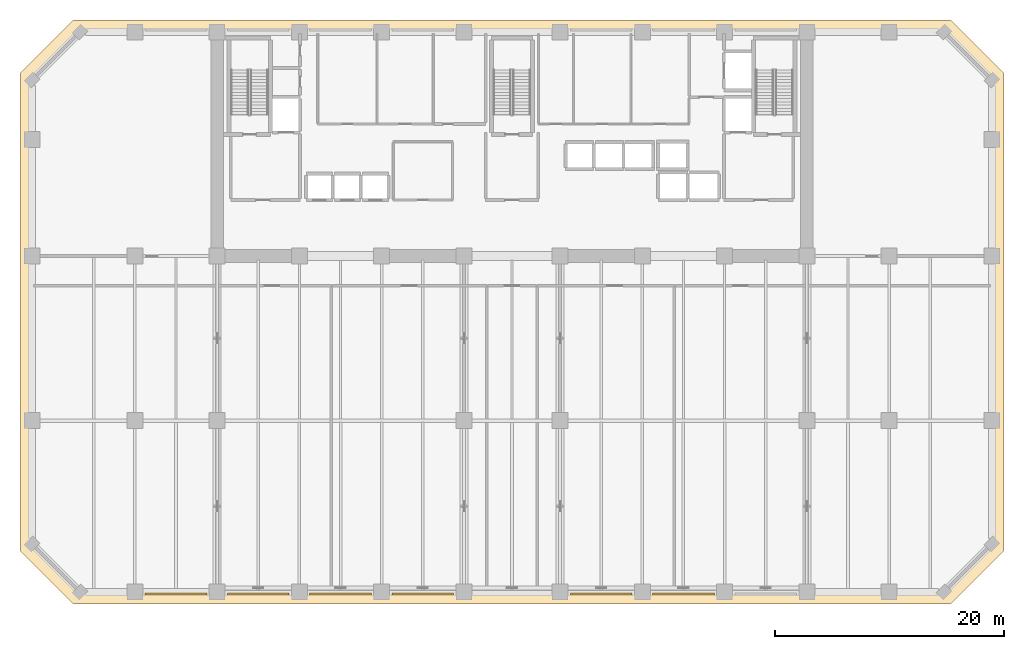
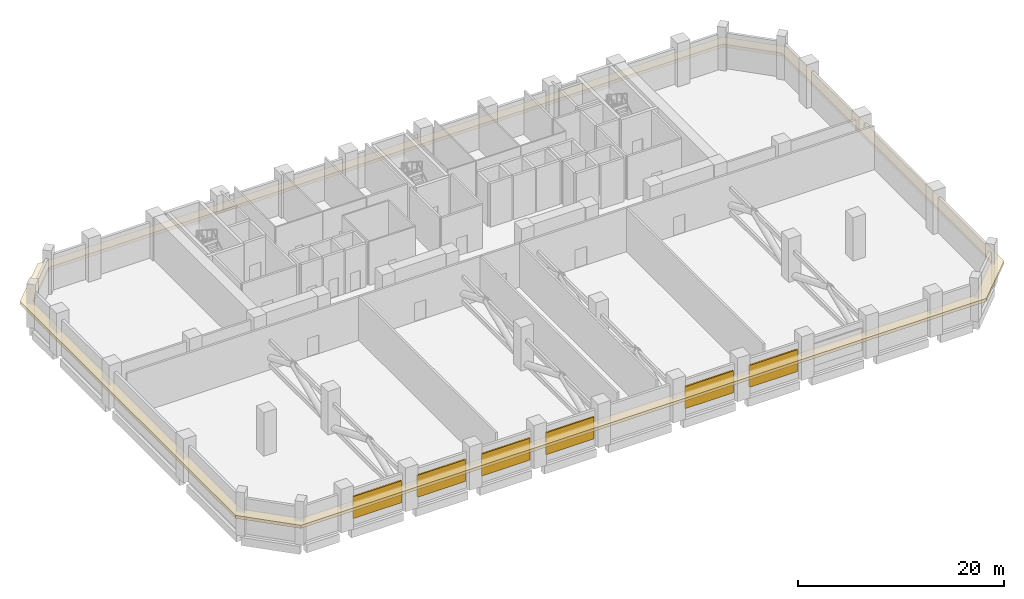
# One storey, part 12 of 15: 6 shading devices, 1 covering.
"""IFC4 building model written with IfcOpenShell, lengths in metres."""

from ifc_helpers import new_model, si_unit, direction, frame, origin, origin_2d, place, context, subcontext, project, spatial, polyline, rectangle, outline, extrude, material, layer, layer_set, type_object, element, save


model = new_model("IFC4")

# Units and contexts
model_context = context("Model", 3, precision=1e-05, world=origin(), true_north=direction((0.0, 1.0)))
body_context = subcontext(model_context, "Body", "Model", "MODEL_VIEW")
ifc_project = project(units=[si_unit("LENGTHUNIT", "METRE"), si_unit("AREAUNIT", "SQUARE_METRE"), si_unit("VOLUMEUNIT", "CUBIC_METRE"), si_unit("PLANEANGLEUNIT", "RADIAN"), si_unit("MASSUNIT", "GRAM", prefix="KILO")], contexts=[model_context])

# Site, building, storey
site_placement = place(None, origin())
site = spatial("IfcSite", under=ifc_project, at=site_placement, CompositionType="ELEMENT")
building_placement = place(site_placement, origin())
building = spatial("IfcBuilding", under=site, at=building_placement, Name="Kaelvorn Grand Hotel", CompositionType="ELEMENT")
storey_placement = place(building_placement, frame((0.0, 0.0, 80.14990234375)))
storey = spatial("IfcBuildingStorey", under=building, at=storey_placement, Name="L18", CompositionType="ELEMENT", Elevation=80.14990234375)

# Covering
ifc_material_1 = material(Name="Precast concrete C45/55", Category="concrete")
ifc_layer = layer(ifc_material_1, 0.260009765625)
ifc_layer_set = layer_set([ifc_layer], Name="Precast concrete C45/55")
covering_type = type_object("IfcCoveringType", Name="COV-BAND-STREAMLINE-HEAD", PredefinedType="CLADDING", material=ifc_layer_set)
covering_placement = place(storey_placement, frame((0.0, 0.0, 2.420166015625)))
element("IfcCovering", 1, at=covering_placement, inside=storey, type_object=covering_type, Name="L18 Streamline Moderne Wraparound Horizontal Eyebrow Band", PredefinedType="CLADDING", context=body_context, shape_type="SweptSolid", body=[
    extrude(outline(polyline([(3.590087890625, -1.050048828125), (80.409912109375, -1.050048828125), (85.050048828125, 3.590087890625), (85.050048828125, 45.409912109375), (80.409912109375, 50.050048828125), (3.590087890625, 50.050048828125), (-1.050048828125, 45.409912109375), (-1.050048828125, 3.590087890625), (3.590087890625, -1.050048828125)]), holes=[polyline([(4.219970703125, 0.030029296875), (79.780029296875, 0.030029296875), (83.969970703125, 4.219970703125), (83.969970703125, 44.780029296875), (79.780029296875, 48.969970703125), (4.219970703125, 48.969970703125), (0.030029296875, 44.780029296875), (0.030029296875, 4.219970703125), (4.219970703125, 0.030029296875)])]), origin(), (0.0, 0.0, 1.0), 0.35986328125),
])

# Shading devices
ifc_material_2 = material(Name="Anodised Aluminium", Category="aluminium")
shading_device_type = type_object("IfcShadingDeviceType", Name="SHD-LOUVRE-PLANT", PredefinedType="USERDEFINED", material=ifc_material_2)
for number, where, z_axis, x_axis, name in (
    (2, (12.60009765625, -0.18994140625, 0.900146484375), (0.0, 0.0, 1.0), (1.0, 0.0, 0.0), "L18 Mechanical Plant Aluminium Louvre Screen S1"),
    (3, (19.800048828125, -0.18994140625, 0.900146484375), (0.0, 0.0, 1.0), (1.0, 0.0, 0.0), "L18 Mechanical Plant Aluminium Louvre Screen S2"),
    (4, (27.0, -0.18994140625, 0.900146484375), (0.0, 0.0, 1.0), (1.0, 0.0, 0.0), "L18 Mechanical Plant Aluminium Louvre Screen S3"),
    (5, (34.199951171875, -0.18994140625, 0.900146484375), (0.0, 0.0, 1.0), (1.0, 0.0, 0.0), "L18 Mechanical Plant Aluminium Louvre Screen S4"),
    (6, (49.800048828125, -0.18994140625, 0.900146484375), (0.0, 0.0, 1.0), (1.0, 0.0, 0.0), "L18 Mechanical Plant Aluminium Louvre Screen S5"),
    (7, (57.0, -0.18994140625, 0.900146484375), (0.0, 0.0, 1.0), (1.0, 0.0, 0.0), "L18 Mechanical Plant Aluminium Louvre Screen S6"),
):
    element("IfcShadingDevice", number, at=place(storey_placement, frame(where, z_axis=z_axis, x_axis=x_axis)), inside=storey, type_object=shading_device_type, Name=name, ObjectType="LOUVRE", PredefinedType="USERDEFINED", context=body_context, shape_type="SweptSolid", body=[
        extrude(rectangle(XDim=5.39990234375, YDim=0.179931640625, at=origin_2d()), origin(), (0.0, 0.0, 1.0), 2.60009765625),
    ])

save(model, "model.ifc")
